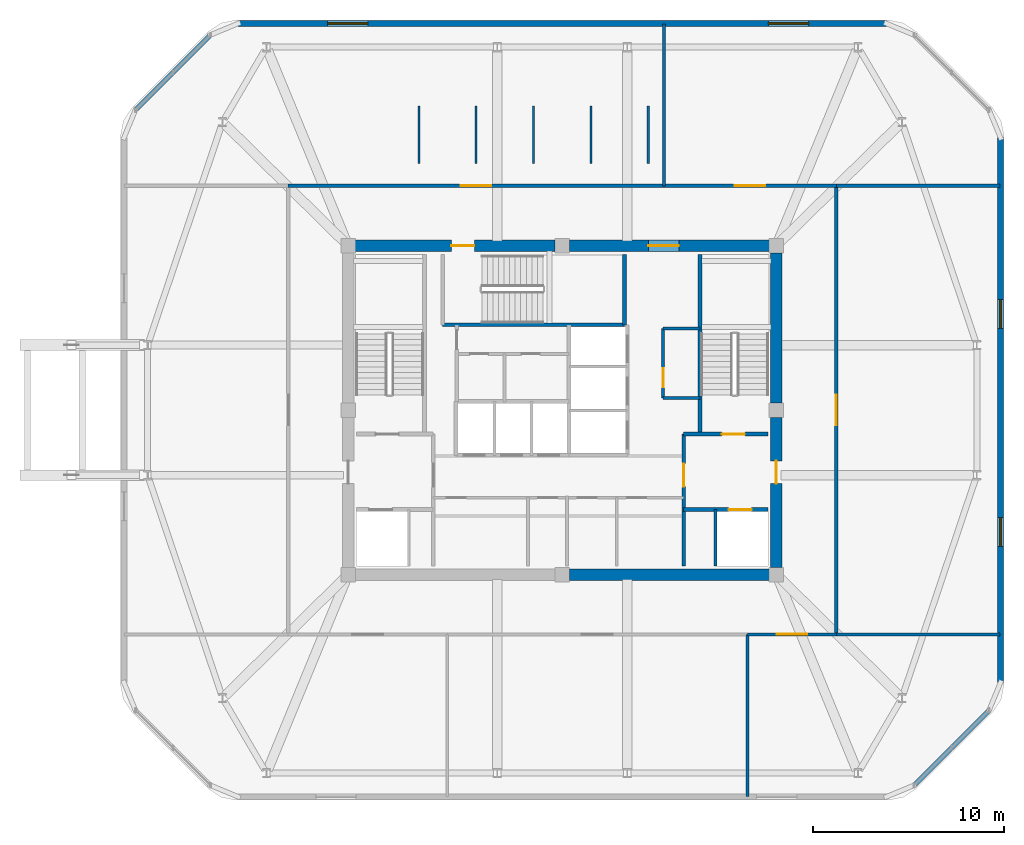
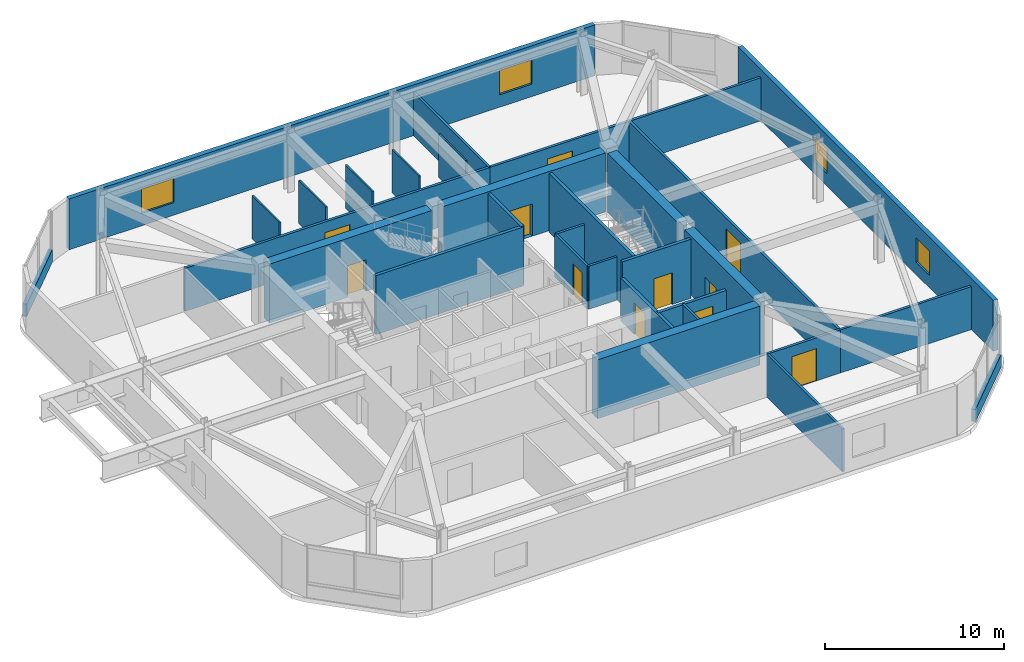
# One storey, part 7 of 9: 32 walls, 11 doors, 4 windows, 15 openings.
"""IFC4 building model written with IfcOpenShell, lengths in metres."""

from ifc_helpers import new_model, si_unit, derived_unit, direction, frame, frame_2d, origin, place, context, subcontext, project, spatial, rectangle, extrude, material, layer, layer_set, type_object, element, fill, save


model = new_model("IFC4")

# Units and contexts
model_context = context("Model", 3, precision=1e-05, world=origin(), true_north=direction((0.0, 1.0)))
body_context = subcontext(model_context, "Body", "Model", "MODEL_VIEW")
ifc_project = project(units=[si_unit("LENGTHUNIT", "METRE"), si_unit("AREAUNIT", "SQUARE_METRE"), si_unit("VOLUMEUNIT", "CUBIC_METRE"), si_unit("PLANEANGLEUNIT", "RADIAN"), si_unit("MASSUNIT", "GRAM", prefix="KILO"), derived_unit("THERMALTRANSMITTANCEUNIT", [(si_unit("POWERUNIT", "WATT"), 1), (si_unit("LENGTHUNIT", "METRE"), -2), (si_unit("THERMODYNAMICTEMPERATUREUNIT", "KELVIN"), -1)])], contexts=[model_context])

# Site, building, storey
site_placement = place(None, origin())
site = spatial("IfcSite", under=ifc_project, at=site_placement, CompositionType="ELEMENT")
building_placement = place(site_placement, origin())
building = spatial("IfcBuilding", under=site, at=building_placement, Name="Koralith Skygarden Medical Center", CompositionType="ELEMENT")
storey_placement = place(building_placement, frame((0.0, 0.0, 286.02001953125)))
storey = spatial("IfcBuildingStorey", under=building, at=storey_placement, Name="L74", CompositionType="ELEMENT", Elevation=286.02001953125)

# Wall, opening, door
ifc_material_1 = material(Name="Gypsum Board Partition")
ifc_layer_1 = layer(ifc_material_1, 0.14990234375)
ifc_layer_set_1 = layer_set([ifc_layer_1], Name="Gypsum Board Partition")
wall_type_1 = type_object("IfcWallType", Name="Clinical Acoustic Partition 150", PredefinedType="PARTITIONING", material=ifc_layer_set_1)
wall_1_placement = place(storey_placement, frame((42.27001953125, 26.5400390625, 0.0), z_axis=(0.0, 0.0, 1.0), x_axis=(0.0, 1.0, 0.0)))
wall_1 = element("IfcWall", 1, at=wall_1_placement, inside=storey, type_object=wall_type_1, Name="L74 Clinical Acoustic Partition 150 W-CORE-L74-ESUB-W", PredefinedType="PARTITIONING", context=body_context, shape_type="SweptSolid", body=[
    extrude(rectangle(XDim=3.619873046875, YDim=0.14990234375, at=frame_2d((1.81005859375, 0.0))), origin(), (0.0, 0.0, 1.0), 2.929931640625),
])
opening_1_placement = place(wall_1_placement, frame((0.550048828125, 0.0, 0.0)))
opening_1 = element("IfcOpeningElement", 2, at=opening_1_placement, cuts=wall_1, Name="Opening D-SUP", PredefinedType="OPENING", context=body_context, shape_type="SweptSolid", body=[
    extrude(rectangle(XDim=1.0, YDim=2.14990234375, at=frame_2d((0.5, 1.074951171875))), frame((0.0, 0.0849609375, 0.0), z_axis=(0.0, -1.0, 0.0), x_axis=(1.0, 0.0, 0.0)), (0.0, 0.0, 1.0), 0.169921875),
])
ifc_material_2 = material(Name="Aluminium 6063-T6", Category="aluminium")
door_type_1 = type_object("IfcDoorType", Name="Clinical Support Door D-SUP 1000", OperationType="NOTDEFINED", PredefinedType="DOOR", material=ifc_material_2)
door_1_placement = place(opening_1_placement, origin())
door_1 = element("IfcDoor", 3, at=door_1_placement, inside=storey, type_object=door_type_1, Name="L74 Core Equipment Store Door", OperationType="SINGLE_SWING_LEFT", OverallHeight=2.14990234375, OverallWidth=1.0, PredefinedType="DOOR", context=body_context, shape_type="SweptSolid", body=[
    extrude(rectangle(XDim=1.0, YDim=2.14990234375, at=frame_2d((0.5, 1.074951171875))), frame((0.0, 0.02490234375, 0.0), z_axis=(0.0, -1.0, 0.0), x_axis=(1.0, 0.0, 0.0)), (0.0, 0.0, 1.0), 0.050048828125),
])
fill(opening_1, door_1)

# Walls
for number, where, z_axis, x_axis, name in (
    (4, (42.27001953125, 26.5400390625, 0.0), (0.0, 0.0, 1.0), (1.0, 0.0, 0.0), "L74 Clinical Acoustic Partition 150 W-CORE-L74-ESUB-S"),
    (5, (42.27001953125, 30.159912109375, 0.0), (0.0, 0.0, 1.0), (1.0, 0.0, 0.0), "L74 Clinical Acoustic Partition 150 W-CORE-L74-ESUB-N"),
):
    element("IfcWall", number, at=place(storey_placement, frame(where, z_axis=z_axis, x_axis=x_axis)), inside=storey, type_object=wall_type_1, Name=name, PredefinedType="PARTITIONING", context=body_context, shape_type="SweptSolid", body=[
        extrude(rectangle(XDim=1.929931640625, YDim=0.14990234375, at=frame_2d((0.96484375, 0.0))), origin(), (0.0, 0.0, 1.0), 2.929931640625),
    ])
wall_2_placement = place(storey_placement, frame((42.320068359375, 37.6298828125, 0.0), z_axis=(0.0, 0.0, 1.0), x_axis=(0.0, 1.0, 0.0)))
element("IfcWall", 6, at=wall_2_placement, inside=storey, type_object=wall_type_1, Name="L74 Clinical Acoustic Partition 150 W-CRPART-L74-N-1", PredefinedType="PARTITIONING", context=body_context, shape_type="SweptSolid", body=[
    extrude(rectangle(XDim=8.47021484375, YDim=0.14990234375, at=frame_2d((4.235107421875, 0.0))), origin(), (0.0, 0.0, 1.0), 2.929931640625),
])
wall_3_placement = place(storey_placement, frame((46.677978515625, 14.169921875, 0.0), z_axis=(0.0, 0.0, 1.0), x_axis=(0.0, -1.0, 0.0)))
element("IfcWall", 7, at=wall_3_placement, inside=storey, type_object=wall_type_1, Name="L74 Clinical Acoustic Partition 150 W-CRPART-L74-S-2", PredefinedType="PARTITIONING", context=body_context, shape_type="SweptSolid", body=[
    extrude(rectangle(XDim=8.469970703125, YDim=0.14990234375, at=frame_2d((4.23486328125, 0.0))), origin(), (0.0, 0.0, 1.0), 2.929931640625),
])
ifc_layer_2 = layer(ifc_material_1, 0.1650390625)
ifc_layer_set_2 = layer_set([ifc_layer_2], Name="Gypsum Board Partition")
wall_type_2 = type_object("IfcWallType", Name="Clinical Corridor Partition 165", PredefinedType="PARTITIONING", material=ifc_layer_set_2)
for number, where, z_axis, x_axis, name in (
    (8, (51.330078125, 37.6298828125, 0.0), (0.0, 0.0, 1.0), (1.0, 0.0, 0.0), "L74 Clinical Corridor Partition 165 W-WB-L74-NE"),
    (9, (51.330078125, 14.169921875, 0.0), (0.0, 0.0, 1.0), (1.0, 0.0, 0.0), "L74 Clinical Corridor Partition 165 W-WB-L74-SE"),
):
    element("IfcWall", number, at=place(storey_placement, frame(where, z_axis=z_axis, x_axis=x_axis)), inside=storey, type_object=wall_type_2, Name=name, PredefinedType="PARTITIONING", context=body_context, shape_type="SweptSolid", body=[
        extrude(rectangle(XDim=8.56982421875, YDim=0.1650390625, at=frame_2d((4.284912109375, 0.0))), origin(), (0.0, 0.0, 1.0), 2.929931640625),
    ])

# Wall, opening, door
wall_4_placement = place(storey_placement, frame((22.669921875, 37.6298828125, 0.0), z_axis=(0.0, 0.0, 1.0), x_axis=(1.0, 0.0, 0.0)))
wall_4 = element("IfcWall", 10, at=wall_4_placement, inside=storey, type_object=wall_type_2, Name="L74 Clinical Corridor Partition 165 W-CRCOR-L74-N-1", PredefinedType="PARTITIONING", context=body_context, shape_type="SweptSolid", body=[
    extrude(rectangle(XDim=19.650146484375, YDim=0.1650390625, at=frame_2d((9.8251953125, 0.0))), origin(), (0.0, 0.0, 1.0), 2.929931640625),
])
opening_2_placement = place(wall_4_placement, frame((9.02490234375, 0.0, 0.0)))
opening_2 = element("IfcOpeningElement", 11, at=opening_2_placement, cuts=wall_4, Name="Opening D-DBL", PredefinedType="OPENING", context=body_context, shape_type="SweptSolid", body=[
    extrude(rectangle(XDim=1.60009765625, YDim=2.199951171875, at=frame_2d((0.800048828125, 1.10009765625))), frame((0.0, 0.092529296875, 0.0), z_axis=(0.0, -1.0, 0.0), x_axis=(1.0, 0.0, 0.0)), (0.0, 0.0, 1.0), 0.18505859375),
])
door_type_2 = type_object("IfcDoorType", Name="Double Clinical Suite Door D-DBL 1600", OperationType="NOTDEFINED", PredefinedType="DOOR", material=ifc_material_2)
door_2_placement = place(opening_2_placement, origin())
door_2 = element("IfcDoor", 12, at=door_2_placement, inside=storey, type_object=door_type_2, Name="L74 Medical Research Symposium Auditorium Door", OperationType="DOUBLE_DOOR_SINGLE_SWING", OverallHeight=2.199951171875, OverallWidth=1.60009765625, PredefinedType="DOOR", context=body_context, shape_type="SweptSolid", body=[
    extrude(rectangle(XDim=1.60009765625, YDim=2.199951171875, at=frame_2d((0.800048828125, 1.10009765625))), frame((0.0, 0.02490234375, 0.0), z_axis=(0.0, -1.0, 0.0), x_axis=(1.0, 0.0, 0.0)), (0.0, 0.0, 1.0), 0.050048828125),
])
fill(opening_2, door_2)

wall_5_placement = place(storey_placement, frame((42.320068359375, 37.6298828125, 0.0), z_axis=(0.0, 0.0, 1.0), x_axis=(1.0, 0.0, 0.0)))
wall_5 = element("IfcWall", 13, at=wall_5_placement, inside=storey, type_object=wall_type_2, Name="L74 Clinical Corridor Partition 165 W-CRCOR-L74-N-2", PredefinedType="PARTITIONING", context=body_context, shape_type="SweptSolid", body=[
    extrude(rectangle(XDim=9.010009765625, YDim=0.1650390625, at=frame_2d((4.5048828125, 0.0))), origin(), (0.0, 0.0, 1.0), 2.929931640625),
])
opening_3_placement = place(wall_5_placement, frame((3.705078125, 0.0, 0.0)))
opening_3 = element("IfcOpeningElement", 14, at=opening_3_placement, cuts=wall_5, Name="Opening D-DBL", PredefinedType="OPENING", context=body_context, shape_type="SweptSolid", body=[
    extrude(rectangle(XDim=1.60009765625, YDim=2.199951171875, at=frame_2d((0.800048828125, 1.10009765625))), frame((0.0, 0.092529296875, 0.0), z_axis=(0.0, -1.0, 0.0), x_axis=(1.0, 0.0, 0.0)), (0.0, 0.0, 1.0), 0.18505859375),
])
door_3_placement = place(opening_3_placement, origin())
door_3 = element("IfcDoor", 15, at=door_3_placement, inside=storey, type_object=door_type_2, Name="L74 Symposium Pre-Function Reception Foyer Door", OperationType="DOUBLE_DOOR_SINGLE_SWING", OverallHeight=2.199951171875, OverallWidth=1.60009765625, PredefinedType="DOOR", context=body_context, shape_type="SweptSolid", body=[
    extrude(rectangle(XDim=1.60009765625, YDim=2.199951171875, at=frame_2d((0.800048828125, 1.10009765625))), frame((0.0, 0.02490234375, 0.0), z_axis=(0.0, -1.0, 0.0), x_axis=(1.0, 0.0, 0.0)), (0.0, 0.0, 1.0), 0.050048828125),
])
fill(opening_3, door_3)

wall_6_placement = place(storey_placement, frame((46.677978515625, 14.169921875, 0.0), z_axis=(0.0, 0.0, 1.0), x_axis=(1.0, 0.0, 0.0)))
wall_6 = element("IfcWall", 16, at=wall_6_placement, inside=storey, type_object=wall_type_2, Name="L74 Clinical Corridor Partition 165 W-CRCOR-L74-S-3", PredefinedType="PARTITIONING", context=body_context, shape_type="SweptSolid", body=[
    extrude(rectangle(XDim=4.652099609375, YDim=0.1650390625, at=frame_2d((2.326171875, 0.0))), origin(), (0.0, 0.0, 1.0), 2.929931640625),
])
opening_4_placement = place(wall_6_placement, frame((1.52587890625, 0.0, 0.0)))
opening_4 = element("IfcOpeningElement", 17, at=opening_4_placement, cuts=wall_6, Name="Opening D-DBL", PredefinedType="OPENING", context=body_context, shape_type="SweptSolid", body=[
    extrude(rectangle(XDim=1.60009765625, YDim=2.199951171875, at=frame_2d((0.800048828125, 1.10009765625))), frame((0.0, 0.092529296875, 0.0), z_axis=(0.0, -1.0, 0.0), x_axis=(1.0, 0.0, 0.0)), (0.0, 0.0, 1.0), 0.18505859375),
])
door_4_placement = place(opening_4_placement, frame((1.60009765625, 0.0, 0.0), z_axis=(0.0, 0.0, 1.0), x_axis=(-1.0, 0.0, 0.0)))
door_4 = element("IfcDoor", 18, at=door_4_placement, inside=storey, type_object=door_type_2, Name="L74 Public Accessible Restroom WC Door", OperationType="DOUBLE_DOOR_SINGLE_SWING", OverallHeight=2.199951171875, OverallWidth=1.60009765625, PredefinedType="DOOR", context=body_context, shape_type="SweptSolid", body=[
    extrude(rectangle(XDim=1.60009765625, YDim=2.199951171875, at=frame_2d((0.800048828125, 1.10009765625))), frame((0.0, 0.02490234375, 0.0), z_axis=(0.0, -1.0, 0.0), x_axis=(1.0, 0.0, 0.0)), (0.0, 0.0, 1.0), 0.050048828125),
])
fill(opening_4, door_4)

wall_7_placement = place(storey_placement, frame((51.330078125, 14.169921875, 0.0), z_axis=(0.0, 0.0, 1.0), x_axis=(0.0, 1.0, 0.0)))
wall_7 = element("IfcWall", 19, at=wall_7_placement, inside=storey, type_object=wall_type_2, Name="L74 Clinical Corridor Partition 165 W-CRCOR-L74-E-1", PredefinedType="PARTITIONING", context=body_context, shape_type="SweptSolid", body=[
    extrude(rectangle(XDim=23.4599609375, YDim=0.1650390625, at=frame_2d((11.72998046875, 0.0))), origin(), (0.0, 0.0, 1.0), 2.929931640625),
])
opening_5_placement = place(wall_7_placement, frame((10.929931640625, 0.0, 0.0)))
opening_5 = element("IfcOpeningElement", 20, at=opening_5_placement, cuts=wall_7, Name="Opening D-DBL", PredefinedType="OPENING", context=body_context, shape_type="SweptSolid", body=[
    extrude(rectangle(XDim=1.60009765625, YDim=2.199951171875, at=frame_2d((0.800048828125, 1.10009765625))), frame((0.0, 0.092529296875, 0.0), z_axis=(0.0, -1.0, 0.0), x_axis=(1.0, 0.0, 0.0)), (0.0, 0.0, 1.0), 0.18505859375),
])
door_5_placement = place(opening_5_placement, origin())
door_5 = element("IfcDoor", 21, at=door_5_placement, inside=storey, type_object=door_type_2, Name="L74 Clinical Simulation Seminar Hall Door", OperationType="DOUBLE_DOOR_SINGLE_SWING", OverallHeight=2.199951171875, OverallWidth=1.60009765625, PredefinedType="DOOR", context=body_context, shape_type="SweptSolid", body=[
    extrude(rectangle(XDim=1.60009765625, YDim=2.199951171875, at=frame_2d((0.800048828125, 1.10009765625))), frame((0.0, 0.02490234375, 0.0), z_axis=(0.0, -1.0, 0.0), x_axis=(1.0, 0.0, 0.0)), (0.0, 0.0, 1.0), 0.050048828125),
])
fill(opening_5, door_5)

# Walls
ifc_layer_3 = layer(ifc_material_1, 0.110107421875)
ifc_layer_set_3 = layer_set([ifc_layer_3], Name="Gypsum Board Partition")
wall_type_3 = type_object("IfcWallType", Name="Conference Movable Partition 110", PredefinedType="MOVABLE", material=ifc_layer_set_3)
for number, where, z_axis, x_axis, name in (
    (22, (29.5, 38.800048828125, 0.0), (0.0, 0.0, 1.0), (0.0, 1.0, 0.0), "L74 Symposium Operable Acoustic Divider 1"),
    (23, (32.5, 38.800048828125, 0.0), (0.0, 0.0, 1.0), (0.0, 1.0, 0.0), "L74 Symposium Operable Acoustic Divider 2"),
    (24, (35.5, 38.800048828125, 0.0), (0.0, 0.0, 1.0), (0.0, 1.0, 0.0), "L74 Symposium Operable Acoustic Divider 3"),
    (25, (38.5, 38.800048828125, 0.0), (0.0, 0.0, 1.0), (0.0, 1.0, 0.0), "L74 Symposium Operable Acoustic Divider 4"),
    (26, (41.5, 38.800048828125, 0.0), (0.0, 0.0, 1.0), (0.0, 1.0, 0.0), "L74 Symposium Operable Acoustic Divider 5"),
):
    element("IfcWall", number, at=place(storey_placement, frame(where, z_axis=z_axis, x_axis=x_axis)), inside=storey, type_object=wall_type_3, Name=name, PredefinedType="MOVABLE", context=body_context, shape_type="SweptSolid", body=[
        extrude(rectangle(XDim=3.0, YDim=0.110107421875, at=frame_2d((1.5, 0.0))), origin(), (0.0, 0.0, 1.0), 2.929931640625),
    ])

# Wall, opening, door
ifc_layer_4 = layer(ifc_material_1, 0.199951171875)
ifc_layer_set_4 = layer_set([ifc_layer_4], Name="Gypsum Board Partition")
wall_type_4 = type_object("IfcWallType", Name="Fire Shaft Wall 200", PredefinedType="SOLIDWALL", material=ifc_layer_set_4)
wall_8_placement = place(storey_placement, frame((43.35009765625, 20.699951171875, 0.0), z_axis=(0.0, 0.0, 1.0), x_axis=(1.0, 0.0, 0.0)))
wall_8 = element("IfcWall", 27, at=wall_8_placement, inside=storey, type_object=wall_type_4, Name="L74 Fire Shaft Wall 200 W-CORE-L74-FF2-N", PredefinedType="SOLIDWALL", context=body_context, shape_type="SweptSolid", body=[
    extrude(rectangle(XDim=4.39990234375, YDim=0.199951171875, at=frame_2d((2.199951171875, 0.0))), origin(), (0.0, 0.0, 1.0), 2.929931640625),
])
opening_6_placement = place(wall_8_placement, frame((2.35009765625, 0.0, 0.0)))
opening_6 = element("IfcOpeningElement", 28, at=opening_6_placement, cuts=wall_8, Name="Opening LD-FF", PredefinedType="OPENING", context=body_context, shape_type="SweptSolid", body=[
    extrude(rectangle(XDim=1.199951171875, YDim=2.14990234375, at=frame_2d((0.60009765625, 1.074951171875))), frame((0.0, 0.10986328125, 0.0), z_axis=(0.0, -1.0, 0.0), x_axis=(1.0, 0.0, 0.0)), (0.0, 0.0, 1.0), 0.219970703125),
])
ifc_material_3 = material(Name="Steel ASTM A500 Grade C", Category="steel")
door_type_3 = type_object("IfcDoorType", Name="Fire Lift Sliding Landing Door LD-FF 1200", OperationType="NOTDEFINED", PredefinedType="DOOR", material=ifc_material_3)
door_6_placement = place(opening_6_placement, origin())
door_6 = element("IfcDoor", 29, at=door_6_placement, inside=storey, type_object=door_type_3, Name="L74 Fire Service Elevator FF2 Landing Door", OperationType="SLIDING_TO_RIGHT", OverallHeight=2.14990234375, OverallWidth=1.199951171875, PredefinedType="DOOR", context=body_context, shape_type="SweptSolid", body=[
    extrude(rectangle(XDim=1.199951171875, YDim=2.14990234375, at=frame_2d((0.60009765625, 1.074951171875))), frame((0.0, 0.02490234375, 0.0), z_axis=(0.0, -1.0, 0.0), x_axis=(1.0, 0.0, 0.0)), (0.0, 0.0, 1.0), 0.050048828125),
])
fill(opening_6, door_6)

wall_9_placement = place(storey_placement, frame((43.35009765625, 17.75, 0.0), z_axis=(0.0, 0.0, 1.0), x_axis=(0.0, 1.0, 0.0)))
wall_9 = element("IfcWall", 30, at=wall_9_placement, inside=storey, type_object=wall_type_4, Name="L74 Fire Shaft Wall 200 W-CORE-L74-FSAEE-W", PredefinedType="SOLIDWALL", context=body_context, shape_type="SweptSolid", body=[
    extrude(rectangle(XDim=6.89990234375, YDim=0.199951171875, at=frame_2d((3.449951171875, 0.0))), origin(), (0.0, 0.0, 1.0), 2.929931640625),
])
opening_7_placement = place(wall_9_placement, frame((4.14990234375, 0.0, 0.0)))
opening_7 = element("IfcOpeningElement", 31, at=opening_7_placement, cuts=wall_9, Name="Opening D-ST60", PredefinedType="OPENING", context=body_context, shape_type="SweptSolid", body=[
    extrude(rectangle(XDim=1.199951171875, YDim=2.14990234375, at=frame_2d((0.60009765625, 1.074951171875))), frame((0.0, 0.10986328125, 0.0), z_axis=(0.0, -1.0, 0.0), x_axis=(1.0, 0.0, 0.0)), (0.0, 0.0, 1.0), 0.219970703125),
])
door_type_4 = type_object("IfcDoorType", Name="Smokeproof Stair Fire Door FD60S 1200", OperationType="NOTDEFINED", PredefinedType="DOOR", material=ifc_material_3)
door_7_placement = place(opening_7_placement, frame((1.199951171875, 0.0, 0.0), z_axis=(0.0, 0.0, 1.0), x_axis=(-1.0, 0.0, 0.0)))
door_7 = element("IfcDoor", 32, at=door_7_placement, inside=storey, type_object=door_type_4, Name="L74 East Firefighting Lobby Inner Fire Door", OperationType="SINGLE_SWING_RIGHT", OverallHeight=2.14990234375, OverallWidth=1.199951171875, PredefinedType="DOOR", context=body_context, shape_type="SweptSolid", body=[
    extrude(rectangle(XDim=1.199951171875, YDim=2.14990234375, at=frame_2d((0.60009765625, 1.074951171875))), frame((0.0, 0.02490234375, 0.0), z_axis=(0.0, -1.0, 0.0), x_axis=(1.0, 0.0, 0.0)), (0.0, 0.0, 1.0), 0.050048828125),
])
fill(opening_7, door_7)

# Walls
ifc_material_4 = material(Name="Warm Oolitic Limestone Cladding", Category="masonry")
ifc_layer_5 = layer(ifc_material_4, 0.239990234375)
ifc_layer_set_5 = layer_set([ifc_layer_5], Name="Warm Oolitic Limestone Cladding")
wall_type_5 = type_object("IfcWallType", Name="Limestone Spandrel Sill Backup Wall 240", PredefinedType="SOLIDWALL", material=ifc_layer_set_5)
for number, where, z_axis, x_axis, name in (
    (33, (55.39599609375, 6.281005859375, 0.0), (0.0, 0.0, 1.0), (0.707106781187, 0.707106781187, 0.0), "L74 Sill Spandrel SE"),
    (34, (18.60400390625, 45.51904296875, 0.0), (0.0, 0.0, 1.0), (-0.707106781187, -0.707106781187, 0.0), "L74 Sill Spandrel NW"),
):
    element("IfcWall", number, at=place(storey_placement, frame(where, z_axis=z_axis, x_axis=x_axis)), inside=storey, type_object=wall_type_5, Name=name, PredefinedType="SOLIDWALL", context=body_context, shape_type="SweptSolid", body=[
        extrude(rectangle(XDim=5.548095703125, YDim=0.239990234375, at=frame_2d((2.77392578125, 0.0))), origin(), (0.0, 0.0, 1.0), 0.85009765625),
    ])

# Wall, openings, windows
ifc_layer_6 = layer(ifc_material_4, 0.300048828125)
ifc_layer_set_6 = layer_set([ifc_layer_6], Name="Warm Oolitic Limestone Cladding")
wall_type_6 = type_object("IfcWallType", Name="Oolitic Limestone Insulated Facade Wall 300", PredefinedType="SOLIDWALL", material=ifc_layer_set_6)
wall_10_placement = place(storey_placement, frame((59.919921875, 11.655029296875, 0.0), z_axis=(0.0, 0.0, 1.0), x_axis=(0.0, 1.0, 0.0)))
wall_10 = element("IfcWall", 35, at=wall_10_placement, inside=storey, type_object=wall_type_6, Name="L74 Crown Limestone Wall E", PredefinedType="SOLIDWALL", context=body_context, shape_type="SweptSolid", body=[
    extrude(rectangle(XDim=28.489990234375, YDim=0.300048828125, at=frame_2d((14.2451171875, 0.0))), origin(), (0.0, 0.0, 1.0), 3.4599609375),
])
opening_8_placement = place(wall_10_placement, frame((7.1220703125, 0.0, 0.85009765625)))
opening_8 = element("IfcOpeningElement", 36, at=opening_8_placement, cuts=wall_10, Name="Opening W-06", PredefinedType="OPENING", context=body_context, shape_type="SweptSolid", body=[
    extrude(rectangle(XDim=1.5, YDim=1.64990234375, at=frame_2d((0.75, 0.824951171875))), frame((0.0, 0.159912109375, 0.0), z_axis=(0.0, -1.0, 0.0), x_axis=(1.0, 0.0, 0.0)), (0.0, 0.0, 1.0), 0.320068359375),
])
opening_9_placement = place(wall_10_placement, frame((18.51806640625, 0.0, 0.85009765625)))
opening_9 = element("IfcOpeningElement", 37, at=opening_9_placement, cuts=wall_10, Name="Opening W-06", PredefinedType="OPENING", context=body_context, shape_type="SweptSolid", body=[
    extrude(rectangle(XDim=1.5, YDim=1.64990234375, at=frame_2d((0.75, 0.824951171875))), frame((0.0, 0.159912109375, 0.0), z_axis=(0.0, -1.0, 0.0), x_axis=(1.0, 0.0, 0.0)), (0.0, 0.0, 1.0), 0.320068359375),
])
ifc_material_5 = material(Name="Clear Laminated Glass", Category="glass")
window_type_1 = type_object("IfcWindowType", Name="Auditorium Acoustic Triple Window W-06 1500x1650", PartitioningType="SINGLE_PANEL", PredefinedType="WINDOW", material=ifc_material_5)
window_1_placement = place(opening_8_placement, origin())
window_1 = element("IfcWindow", 38, at=window_1_placement, inside=storey, type_object=window_type_1, Name="L74 E Crown Window 1", OverallHeight=1.64990234375, OverallWidth=1.5, PartitioningType="SINGLE_PANEL", PredefinedType="WINDOW", context=body_context, shape_type="SweptSolid", body=[
    extrude(rectangle(XDim=1.5, YDim=1.64990234375, at=frame_2d((0.75, 0.824951171875))), frame((0.0, 0.030029296875, 0.0), z_axis=(0.0, -1.0, 0.0), x_axis=(1.0, 0.0, 0.0)), (0.0, 0.0, 1.0), 0.06005859375),
])
fill(opening_8, window_1)
window_2_placement = place(opening_9_placement, origin())
window_2 = element("IfcWindow", 39, at=window_2_placement, inside=storey, type_object=window_type_1, Name="L74 E Crown Window 2", OverallHeight=1.64990234375, OverallWidth=1.5, PartitioningType="SINGLE_PANEL", PredefinedType="WINDOW", context=body_context, shape_type="SweptSolid", body=[
    extrude(rectangle(XDim=1.5, YDim=1.64990234375, at=frame_2d((0.75, 0.824951171875))), frame((0.0, 0.030029296875, 0.0), z_axis=(0.0, -1.0, 0.0), x_axis=(1.0, 0.0, 0.0)), (0.0, 0.0, 1.0), 0.06005859375),
])
fill(opening_9, window_2)

wall_11_placement = place(storey_placement, frame((53.945068359375, 46.1201171875, 0.0), z_axis=(0.0, 0.0, 1.0), x_axis=(-1.0, 0.0, 0.0)))
wall_11 = element("IfcWall", 40, at=wall_11_placement, inside=storey, type_object=wall_type_6, Name="L74 Crown Limestone Wall N", PredefinedType="SOLIDWALL", context=body_context, shape_type="SweptSolid", body=[
    extrude(rectangle(XDim=33.89013671875, YDim=0.300048828125, at=frame_2d((16.945068359375, 0.0))), origin(), (0.0, 0.0, 1.0), 3.4599609375),
])
opening_10_placement = place(wall_11_placement, frame((4.06689453125, 0.0, 0.85009765625)))
opening_10 = element("IfcOpeningElement", 41, at=opening_10_placement, cuts=wall_11, Name="Opening W-05", PredefinedType="OPENING", context=body_context, shape_type="SweptSolid", body=[
    extrude(rectangle(XDim=2.10009765625, YDim=1.64990234375, at=frame_2d((1.050048828125, 0.824951171875))), frame((0.0, 0.159912109375, 0.0), z_axis=(0.0, -1.0, 0.0), x_axis=(1.0, 0.0, 0.0)), (0.0, 0.0, 1.0), 0.320068359375),
])
opening_11_placement = place(wall_11_placement, frame((27.111083984375, 0.0, 0.85009765625)))
opening_11 = element("IfcOpeningElement", 42, at=opening_11_placement, cuts=wall_11, Name="Opening W-05", PredefinedType="OPENING", context=body_context, shape_type="SweptSolid", body=[
    extrude(rectangle(XDim=2.10009765625, YDim=1.64990234375, at=frame_2d((1.050048828125, 0.824951171875))), frame((0.0, 0.159912109375, 0.0), z_axis=(0.0, -1.0, 0.0), x_axis=(1.0, 0.0, 0.0)), (0.0, 0.0, 1.0), 0.320068359375),
])
window_type_2 = type_object("IfcWindowType", Name="Sky-Pool Lounge Picture Window W-05 2100x1650", PartitioningType="SINGLE_PANEL", PredefinedType="WINDOW", material=ifc_material_5)
window_3_placement = place(opening_10_placement, origin())
window_3 = element("IfcWindow", 43, at=window_3_placement, inside=storey, type_object=window_type_2, Name="L74 N Crown Window 1", OverallHeight=1.64990234375, OverallWidth=2.10009765625, PartitioningType="SINGLE_PANEL", PredefinedType="WINDOW", context=body_context, shape_type="SweptSolid", body=[
    extrude(rectangle(XDim=2.10009765625, YDim=1.64990234375, at=frame_2d((1.050048828125, 0.824951171875))), frame((0.0, 0.030029296875, 0.0), z_axis=(0.0, -1.0, 0.0), x_axis=(1.0, 0.0, 0.0)), (0.0, 0.0, 1.0), 0.06005859375),
])
fill(opening_10, window_3)
window_4_placement = place(opening_11_placement, origin())
window_4 = element("IfcWindow", 44, at=window_4_placement, inside=storey, type_object=window_type_2, Name="L74 N Crown Window 2", OverallHeight=1.64990234375, OverallWidth=2.10009765625, PartitioningType="SINGLE_PANEL", PredefinedType="WINDOW", context=body_context, shape_type="SweptSolid", body=[
    extrude(rectangle(XDim=2.10009765625, YDim=1.64990234375, at=frame_2d((1.050048828125, 0.824951171875))), frame((0.0, 0.030029296875, 0.0), z_axis=(0.0, -1.0, 0.0), x_axis=(1.0, 0.0, 0.0)), (0.0, 0.0, 1.0), 0.06005859375),
])
fill(opening_11, window_4)

# Walls
ifc_layer_7 = layer(ifc_material_1, 0.14990234375)
ifc_layer_set_7 = layer_set([ifc_layer_7], Name="Gypsum Board Partition")
wall_type_7 = type_object("IfcWallType", Name="Shaft Partition Wall 150", PredefinedType="PARTITIONING", material=ifc_layer_set_7)
wall_12_placement = place(storey_placement, frame((45.02001953125, 17.75, 0.0), z_axis=(0.0, 0.0, 1.0), x_axis=(0.0, 1.0, 0.0)))
element("IfcWall", 45, at=wall_12_placement, inside=storey, type_object=wall_type_7, Name="L74 Shaft Partition Wall 150 W-CORE-L74-RSRE-DIV", PredefinedType="PARTITIONING", context=body_context, shape_type="SweptSolid", body=[
    extrude(rectangle(XDim=2.949951171875, YDim=0.14990234375, at=frame_2d((1.47509765625, 0.0))), origin(), (0.0, 0.0, 1.0), 2.929931640625),
])
ifc_material_6 = material(Name="Concrete C45/55", Category="concrete")
ifc_layer_8 = layer(ifc_material_6, 0.199951171875)
ifc_layer_set_8 = layer_set([ifc_layer_8], Name="Concrete C45/55")
wall_type_8 = type_object("IfcWallType", Name="Structural Stair Shaft Wall 200", PredefinedType="SHEAR", material=ifc_layer_set_8)
wall_13_placement = place(storey_placement, frame((44.199951171875, 24.64990234375, 0.0), z_axis=(0.0, 0.0, 1.0), x_axis=(0.0, 1.0, 0.0)))
element("IfcWall", 46, at=wall_13_placement, inside=storey, type_object=wall_type_8, Name="L74 Structural Stair Shaft Wall 200 W-CORE-L74-ST2-W", PredefinedType="SHEAR", context=body_context, shape_type="SweptSolid", body=[
    extrude(rectangle(XDim=9.400146484375, YDim=0.199951171875, at=frame_2d((4.7001953125, 0.0))), origin(), (0.0, 0.0, 1.0), 4.02001953125),
])

# Wall, opening, door
wall_14_placement = place(storey_placement, frame((43.35009765625, 24.64990234375, 0.0), z_axis=(0.0, 0.0, 1.0), x_axis=(1.0, 0.0, 0.0)))
wall_14 = element("IfcWall", 47, at=wall_14_placement, inside=storey, type_object=wall_type_8, Name="L74 Structural Stair Shaft Wall 200 W-CORE-L74-ST2-S", PredefinedType="SHEAR", context=body_context, shape_type="SweptSolid", body=[
    extrude(rectangle(XDim=4.39990234375, YDim=0.199951171875, at=frame_2d((2.199951171875, 0.0))), origin(), (0.0, 0.0, 1.0), 4.02001953125),
])
opening_12_placement = place(wall_14_placement, frame((2.0, 0.0, 0.0)))
opening_12 = element("IfcOpeningElement", 48, at=opening_12_placement, cuts=wall_14, Name="Opening D-ST60", PredefinedType="OPENING", context=body_context, shape_type="SweptSolid", body=[
    extrude(rectangle(XDim=1.199951171875, YDim=2.14990234375, at=frame_2d((0.60009765625, 1.074951171875))), frame((0.0, 0.10986328125, 0.0), z_axis=(0.0, -1.0, 0.0), x_axis=(1.0, 0.0, 0.0)), (0.0, 0.0, 1.0), 0.219970703125),
])
door_8_placement = place(opening_12_placement, origin())
door_8 = element("IfcDoor", 49, at=door_8_placement, inside=storey, type_object=door_type_4, Name="L74 Exit Stair ST2 Fire Door", OperationType="SINGLE_SWING_RIGHT", OverallHeight=2.14990234375, OverallWidth=1.199951171875, PredefinedType="DOOR", context=body_context, shape_type="SweptSolid", body=[
    extrude(rectangle(XDim=1.199951171875, YDim=2.14990234375, at=frame_2d((0.60009765625, 1.074951171875))), frame((0.0, 0.02490234375, 0.0), z_axis=(0.0, -1.0, 0.0), x_axis=(1.0, 0.0, 0.0)), (0.0, 0.0, 1.0), 0.050048828125),
])
fill(opening_12, door_8)

# Walls
wall_15_placement = place(storey_placement, frame((30.75, 30.360107421875, 0.0), z_axis=(0.0, 0.0, 1.0), x_axis=(1.0, 0.0, 0.0)))
element("IfcWall", 50, at=wall_15_placement, inside=storey, type_object=wall_type_8, Name="L74 Structural Stair Shaft Wall 200 W-CORE-L74-ST3-S", PredefinedType="SHEAR", context=body_context, shape_type="SweptSolid", body=[
    extrude(rectangle(XDim=9.5, YDim=0.199951171875, at=frame_2d((4.75, 0.0))), origin(), (0.0, 0.0, 1.0), 4.02001953125),
])
wall_16_placement = place(storey_placement, frame((40.25, 30.360107421875, 0.0), z_axis=(0.0, 0.0, 1.0), x_axis=(0.0, 1.0, 0.0)))
element("IfcWall", 51, at=wall_16_placement, inside=storey, type_object=wall_type_8, Name="L74 Structural Stair Shaft Wall 200 W-CORE-L74-ST3-E", PredefinedType="SHEAR", context=body_context, shape_type="SweptSolid", body=[
    extrude(rectangle(XDim=3.68994140625, YDim=0.199951171875, at=frame_2d((1.844970703125, 0.0))), origin(), (0.0, 0.0, 1.0), 4.02001953125),
])
ifc_material_7 = material(Name="Concrete C55/67", Category="concrete")
ifc_layer_9 = layer(ifc_material_7, 0.60009765625)
ifc_layer_set_9 = layer_set([ifc_layer_9], Name="Concrete C55/67")
wall_type_9 = type_object("IfcWallType", Name="Upper Core Shear Wall 600", PredefinedType="SHEAR", material=ifc_layer_set_9)
wall_17_placement = place(storey_placement, frame((37.375, 17.300048828125, 0.0), z_axis=(0.0, 0.0, 1.0), x_axis=(1.0, 0.0, 0.0)))
element("IfcWall", 52, at=wall_17_placement, inside=storey, type_object=wall_type_9, Name="L74 Core Shear Wall Segment 2", PredefinedType="SHEAR", context=body_context, shape_type="SweptSolid", body=[
    extrude(rectangle(XDim=10.449951171875, YDim=0.60009765625, at=frame_2d((5.22509765625, 0.0))), origin(), (0.0, 0.0, 1.0), 4.02001953125),
])

# Wall, opening, door
wall_18_placement = place(storey_placement, frame((48.199951171875, 17.675048828125, 0.0), z_axis=(0.0, 0.0, 1.0), x_axis=(0.0, 1.0, 0.0)))
wall_18 = element("IfcWall", 53, at=wall_18_placement, inside=storey, type_object=wall_type_9, Name="L74 Core Shear Wall Segment 3", PredefinedType="SHEAR", context=body_context, shape_type="SweptSolid", body=[
    extrude(rectangle(XDim=7.849853515625, YDim=0.60009765625, at=frame_2d((3.9248046875, 0.0))), origin(), (0.0, 0.0, 1.0), 4.02001953125),
])
opening_13_placement = place(wall_18_placement, frame((4.375, 0.0, 0.0)))
opening_13 = element("IfcOpeningElement", 54, at=opening_13_placement, cuts=wall_18, Name="Opening D-ST60", PredefinedType="OPENING", context=body_context, shape_type="SweptSolid", body=[
    extrude(rectangle(XDim=1.199951171875, YDim=2.14990234375, at=frame_2d((0.60009765625, 1.074951171875))), frame((0.0, 0.31005859375, 0.0), z_axis=(0.0, -1.0, 0.0), x_axis=(1.0, 0.0, 0.0)), (0.0, 0.0, 1.0), 0.6201171875),
])
door_9_placement = place(opening_13_placement, frame((1.199951171875, 0.0, 0.0), z_axis=(0.0, 0.0, 1.0), x_axis=(-1.0, 0.0, 0.0)))
door_9 = element("IfcDoor", 55, at=door_9_placement, inside=storey, type_object=door_type_4, Name="L74 East Corridor to Firefighting Lobby Door", OperationType="SINGLE_SWING_RIGHT", OverallHeight=2.14990234375, OverallWidth=1.199951171875, PredefinedType="DOOR", context=body_context, shape_type="SweptSolid", body=[
    extrude(rectangle(XDim=1.199951171875, YDim=2.14990234375, at=frame_2d((0.60009765625, 1.074951171875))), frame((0.0, 0.02490234375, 0.0), z_axis=(0.0, -1.0, 0.0), x_axis=(1.0, 0.0, 0.0)), (0.0, 0.0, 1.0), 0.050048828125),
])
fill(opening_13, door_9)

# Wall
wall_19_placement = place(storey_placement, frame((48.199951171875, 26.27490234375, 0.0), z_axis=(0.0, 0.0, 1.0), x_axis=(0.0, 1.0, 0.0)))
element("IfcWall", 56, at=wall_19_placement, inside=storey, type_object=wall_type_9, Name="L74 Core Shear Wall Segment 4", PredefinedType="SHEAR", context=body_context, shape_type="SweptSolid", body=[
    extrude(rectangle(XDim=7.85009765625, YDim=0.60009765625, at=frame_2d((3.925048828125, 0.0))), origin(), (0.0, 0.0, 1.0), 4.02001953125),
])

# Wall, opening, door
wall_20_placement = place(storey_placement, frame((47.824951171875, 34.5, 0.0), z_axis=(0.0, 0.0, 1.0), x_axis=(-1.0, 0.0, 0.0)))
wall_20 = element("IfcWall", 57, at=wall_20_placement, inside=storey, type_object=wall_type_9, Name="L74 Core Shear Wall Segment 5", PredefinedType="SHEAR", context=body_context, shape_type="SweptSolid", body=[
    extrude(rectangle(XDim=10.449951171875, YDim=0.60009765625, at=frame_2d((5.22509765625, 0.0))), origin(), (0.0, 0.0, 1.0), 4.02001953125),
])
opening_14_placement = place(wall_20_placement, frame((4.72509765625, 0.0, 0.0)))
opening_14 = element("IfcOpeningElement", 58, at=opening_14_placement, cuts=wall_20, Name="Opening D-DBL", PredefinedType="OPENING", context=body_context, shape_type="SweptSolid", body=[
    extrude(rectangle(XDim=1.60009765625, YDim=2.199951171875, at=frame_2d((0.800048828125, 1.10009765625))), frame((0.0, 0.31005859375, 0.0), z_axis=(0.0, -1.0, 0.0), x_axis=(1.0, 0.0, 0.0)), (0.0, 0.0, 1.0), 0.6201171875),
])
door_10_placement = place(opening_14_placement, frame((1.60009765625, 0.0, 0.0), z_axis=(0.0, 0.0, 1.0), x_axis=(-1.0, 0.0, 0.0)))
door_10 = element("IfcDoor", 59, at=door_10_placement, inside=storey, type_object=door_type_2, Name="L74 North-East Corridor to Elevator Lobby Door", OperationType="DOUBLE_DOOR_SINGLE_SWING", OverallHeight=2.199951171875, OverallWidth=1.60009765625, PredefinedType="DOOR", context=body_context, shape_type="SweptSolid", body=[
    extrude(rectangle(XDim=1.60009765625, YDim=2.199951171875, at=frame_2d((0.800048828125, 1.10009765625))), frame((0.0, 0.02490234375, 0.0), z_axis=(0.0, -1.0, 0.0), x_axis=(1.0, 0.0, 0.0)), (0.0, 0.0, 1.0), 0.050048828125),
])
fill(opening_14, door_10)

wall_21_placement = place(storey_placement, frame((36.625, 34.5, 0.0), z_axis=(0.0, 0.0, 1.0), x_axis=(-1.0, 0.0, 0.0)))
wall_21 = element("IfcWall", 60, at=wall_21_placement, inside=storey, type_object=wall_type_9, Name="L74 Core Shear Wall Segment 6", PredefinedType="SHEAR", context=body_context, shape_type="SweptSolid", body=[
    extrude(rectangle(XDim=10.449951171875, YDim=0.60009765625, at=frame_2d((5.22509765625, 0.0))), origin(), (0.0, 0.0, 1.0), 4.02001953125),
])
opening_15_placement = place(wall_21_placement, frame((4.22509765625, 0.0, 0.0)))
opening_15 = element("IfcOpeningElement", 61, at=opening_15_placement, cuts=wall_21, Name="Opening D-ST60", PredefinedType="OPENING", context=body_context, shape_type="SweptSolid", body=[
    extrude(rectangle(XDim=1.199951171875, YDim=2.14990234375, at=frame_2d((0.60009765625, 1.074951171875))), frame((0.0, 0.31005859375, 0.0), z_axis=(0.0, -1.0, 0.0), x_axis=(1.0, 0.0, 0.0)), (0.0, 0.0, 1.0), 0.6201171875),
])
door_11_placement = place(opening_15_placement, frame((1.199951171875, 0.0, 0.0), z_axis=(0.0, 0.0, 1.0), x_axis=(-1.0, 0.0, 0.0)))
door_11 = element("IfcDoor", 62, at=door_11_placement, inside=storey, type_object=door_type_4, Name="L74 Exit Stair ST3 Fire Door", OperationType="SINGLE_SWING_LEFT", OverallHeight=2.14990234375, OverallWidth=1.199951171875, PredefinedType="DOOR", context=body_context, shape_type="SweptSolid", body=[
    extrude(rectangle(XDim=1.199951171875, YDim=2.14990234375, at=frame_2d((0.60009765625, 1.074951171875))), frame((0.0, 0.02490234375, 0.0), z_axis=(0.0, -1.0, 0.0), x_axis=(1.0, 0.0, 0.0)), (0.0, 0.0, 1.0), 0.050048828125),
])
fill(opening_15, door_11)

save(model, "model.ifc")
